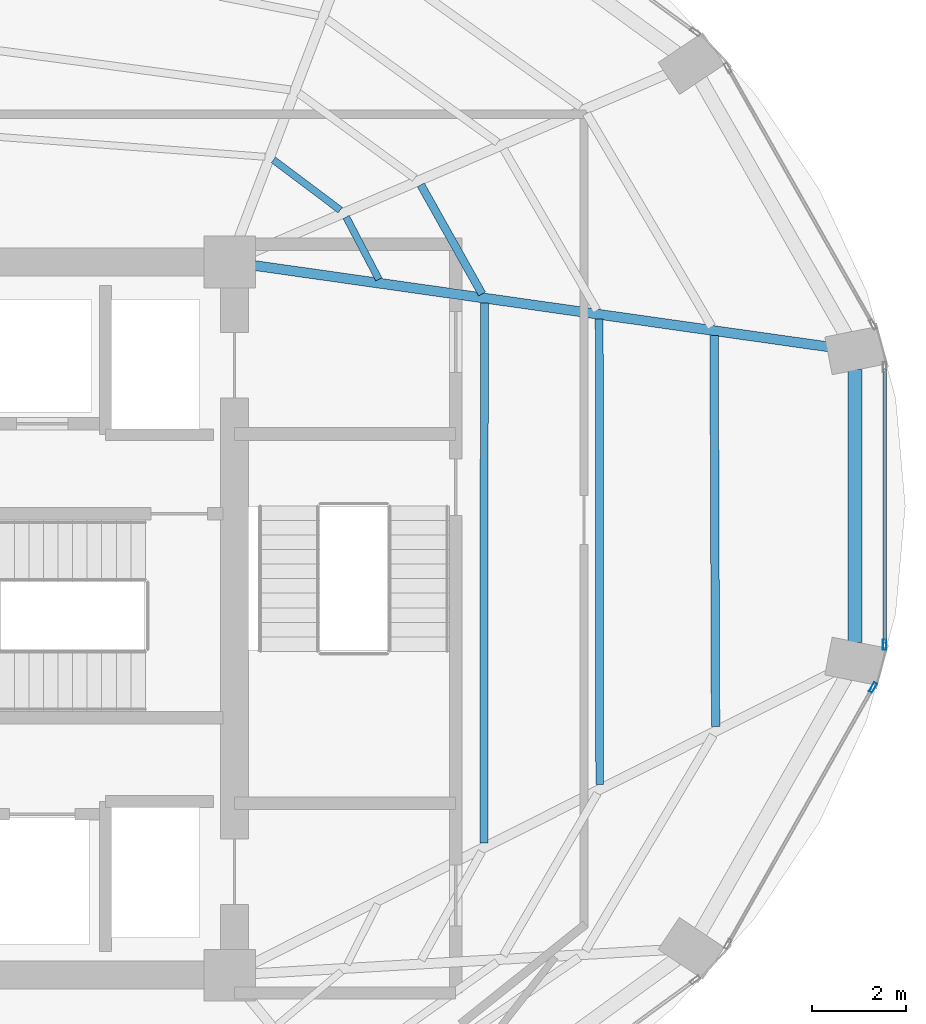
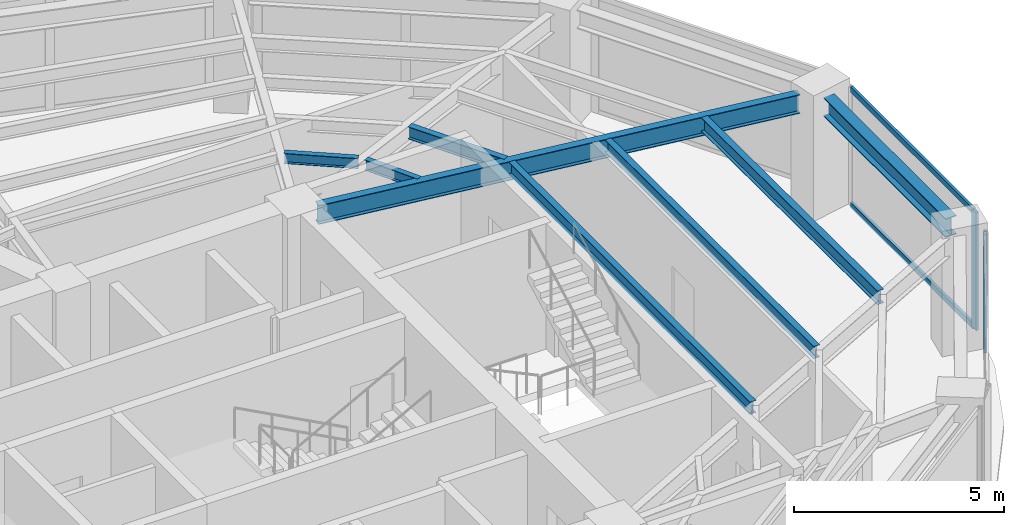
# One storey, part 10 of 20: 8 beams, 4 members, 2 elements without a shape of their own.
"""IFC4 building model written with IfcOpenShell, lengths in metres."""

from ifc_helpers import new_model, si_unit, direction, frame, origin, origin_2d, place, context, subcontext, project, spatial, hollow_rectangle, i_section, extrude, material, layer, layer_set, material_profile, profile_set, type_object, element, aggregate, save


model = new_model("IFC4")

# Units and contexts
model_context = context("Model", 3, precision=1e-05, world=origin(), true_north=direction((0.0, 1.0)))
body_context = subcontext(model_context, "Body", "Model", "MODEL_VIEW")
ifc_project = project(units=[si_unit("LENGTHUNIT", "METRE"), si_unit("AREAUNIT", "SQUARE_METRE"), si_unit("VOLUMEUNIT", "CUBIC_METRE"), si_unit("PLANEANGLEUNIT", "RADIAN"), si_unit("MASSUNIT", "GRAM", prefix="KILO")], contexts=[model_context])

# Site, building, storey
site_placement = place(None, origin())
site = spatial("IfcSite", under=ifc_project, at=site_placement, CompositionType="ELEMENT")
building_placement = place(site_placement, origin())
building = spatial("IfcBuilding", under=site, at=building_placement, Name="Lazwardi Medical Tower", CompositionType="ELEMENT")
storey_placement = place(building_placement, frame((0.0, 0.0, 174.76806640625)))
storey = spatial("IfcBuildingStorey", under=building, at=storey_placement, Name="L45", CompositionType="ELEMENT", Elevation=174.76806640625)

# Beams
ifc_material_1 = material(Name="Steel S355", Category="steel")
ifc_material_profile_1 = material_profile(ifc_material_1, i_section(OverallWidth=0.300048828125, OverallDepth=0.550048828125, WebThickness=0.014892578125, FlangeThickness=0.029052734375, at=origin_2d()), Name="HEB 550")
ifc_profile_set_1 = profile_set([ifc_material_profile_1], Name="Steel S355")
beam_type_1 = type_object("IfcBeamType", Name="BM-RB-Z3", PredefinedType="BEAM", material=ifc_profile_set_1)
beam_1_placement = place(storey_placement, frame((58.92578125, 27.48828125, 3.15283203125), z_axis=(0.0, 1.0, 0.0), x_axis=(-1.0, 0.0, 0.0)))
element("IfcBeam", 1, at=beam_1_placement, inside=storey, type_object=beam_type_1, Name="Ring beam RB-04 B04 L45", PredefinedType="BEAM", context=body_context, shape_type="SweptSolid", body=[
    extrude(i_section(OverallWidth=0.300048828125, OverallDepth=0.550048828125, WebThickness=0.014892578125, FlangeThickness=0.029052734375, at=origin_2d()), origin(), (0.0, 0.0, 1.0), 5.823486328125),
])
ifc_material_profile_2 = material_profile(ifc_material_1, i_section(OverallWidth=0.2099609375, OverallDepth=0.550048828125, WebThickness=0.010986328125, FlangeThickness=0.01708984375, at=origin_2d()), Name="IPE 550")
ifc_profile_set_2 = profile_set([ifc_material_profile_2], Name="Steel S355")
beam_type_2 = type_object("IfcBeamType", Name="BM-RG-W2", PredefinedType="BEAM", material=ifc_profile_set_2)
beam_2_placement = place(storey_placement, frame((58.371337890625, 33.790283203125, 3.15283203125), z_axis=(-0.99010958763, 0.140296131389, 0.0), x_axis=(-0.140296131389, -0.99010958763, 0.0)))
element("IfcBeam", 2, at=beam_2_placement, inside=storey, type_object=beam_type_2, Name="Radial girder RG-03 R05 L45", PredefinedType="BEAM", context=body_context, shape_type="SweptSolid", body=[
    extrude(i_section(OverallWidth=0.2099609375, OverallDepth=0.550048828125, WebThickness=0.010986328125, FlangeThickness=0.01708984375, at=origin_2d()), origin(), (0.0, 0.0, 1.0), 12.364013671875),
])
ifc_material_profile_3 = material_profile(ifc_material_1, i_section(OverallWidth=0.179931640625, OverallDepth=0.39990234375, WebThickness=0.008544921875, FlangeThickness=0.013427734375, at=origin_2d()), Name="IPE 400")
ifc_profile_set_3 = profile_set([ifc_material_profile_3], Name="Steel S355")
beam_type_3 = type_object("IfcBeamType", Name="BM-SJ-01", PredefinedType="JOIST", material=ifc_profile_set_3)
beam_3_placement = place(storey_placement, frame((55.95556640625, 25.69775390625, 3.22802734375), z_axis=(-0.003864366017, 0.99999253331, 0.0), x_axis=(-0.99999253331, -0.003864366017, 0.0)))
element("IfcBeam", 3, at=beam_3_placement, inside=storey, type_object=beam_type_3, Name="Secondary joist SJ-01 R1 B04 L45", PredefinedType="JOIST", context=body_context, shape_type="SweptSolid", body=[
    extrude(i_section(OverallWidth=0.179931640625, OverallDepth=0.39990234375, WebThickness=0.008544921875, FlangeThickness=0.013427734375, at=origin_2d()), origin(), (0.0, 0.0, 1.0), 8.33935546875),
])
ifc_material_profile_4 = material_profile(ifc_material_1, i_section(OverallWidth=0.169921875, OverallDepth=0.360107421875, WebThickness=0.008056640625, FlangeThickness=0.0126953125, at=origin_2d()), Name="IPE 360")
ifc_profile_set_4 = profile_set([ifc_material_profile_4], Name="Steel S355")
beam_type_4 = type_object("IfcBeamType", Name="BM-SJ-02", PredefinedType="JOIST", material=ifc_profile_set_4)
beam_4_placement = place(storey_placement, frame((53.486328125, 24.458251953125, 3.248046875), z_axis=(-0.001156040156, 0.999999331785, 0.0), x_axis=(-0.999999331785, -0.001156040156, 0.0)))
element("IfcBeam", 4, at=beam_4_placement, inside=storey, type_object=beam_type_4, Name="Secondary joist SJ-02 R2 B04 L45", PredefinedType="JOIST", context=body_context, shape_type="SweptSolid", body=[
    extrude(i_section(OverallWidth=0.169921875, OverallDepth=0.360107421875, WebThickness=0.008056640625, FlangeThickness=0.0126953125, at=origin_2d()), origin(), (0.0, 0.0, 1.0), 9.92578125),
])
beam_5_placement = place(storey_placement, frame((51.01708984375, 23.21875, 3.248046875), z_axis=(0.000805852776, 0.999999675301, 0.0), x_axis=(-0.999999675301, 0.000805852776, 0.0)))
element("IfcBeam", 5, at=beam_5_placement, inside=storey, type_object=beam_type_4, Name="Secondary joist SJ-02 R3 B04 L45", PredefinedType="JOIST", context=body_context, shape_type="SweptSolid", body=[
    extrude(i_section(OverallWidth=0.169921875, OverallDepth=0.360107421875, WebThickness=0.008056640625, FlangeThickness=0.0126953125, at=origin_2d()), origin(), (0.0, 0.0, 1.0), 11.512451171875),
])
beam_6_placement = place(storey_placement, frame((50.977294921875, 34.918212890625, 3.248046875), z_axis=(-0.489408945026, 0.872054404569, 0.0), x_axis=(-0.872054404569, -0.489408945026, 0.0)))
element("IfcBeam", 6, at=beam_6_placement, inside=storey, type_object=beam_type_4, Name="Secondary joist SJ-02 R3 B05 L45", PredefinedType="JOIST", context=body_context, shape_type="SweptSolid", body=[
    extrude(i_section(OverallWidth=0.169921875, OverallDepth=0.360107421875, WebThickness=0.008056640625, FlangeThickness=0.0126953125, at=origin_2d()), origin(), (0.0, 0.0, 1.0), 2.666259765625),
])
ifc_material_profile_5 = material_profile(ifc_material_1, i_section(OverallWidth=0.14990234375, OverallDepth=0.300048828125, WebThickness=0.007080078125, FlangeThickness=0.0107421875, at=origin_2d()), Name="IPE 300")
ifc_profile_set_5 = profile_set([ifc_material_profile_5], Name="Steel S355")
beam_type_5 = type_object("IfcBeamType", Name="BM-SJ-03", PredefinedType="JOIST", material=ifc_profile_set_5)
beam_7_placement = place(storey_placement, frame((48.7763671875, 35.231689453125, 3.27783203125), z_axis=(-0.464469748171, 0.885588986513, 0.0), x_axis=(-0.885588986513, -0.464469748171, 0.0)))
element("IfcBeam", 7, at=beam_7_placement, inside=storey, type_object=beam_type_5, Name="Secondary joist SJ-03 R4 B05 L45", PredefinedType="JOIST", context=body_context, shape_type="SweptSolid", body=[
    extrude(i_section(OverallWidth=0.14990234375, OverallDepth=0.300048828125, WebThickness=0.007080078125, FlangeThickness=0.0107421875, at=origin_2d()), origin(), (0.0, 0.0, 1.0), 1.498046875),
])
beam_8_placement = place(storey_placement, frame((47.9541015625, 36.70703125, 3.27783203125), z_axis=(-0.799884834751, 0.600153522972, 0.0), x_axis=(-0.600153522972, -0.799884834751, 0.0)))
element("IfcBeam", 8, at=beam_8_placement, inside=storey, type_object=beam_type_5, Name="Secondary joist SJ-03 R4 B06 L45", PredefinedType="JOIST", context=body_context, shape_type="SweptSolid", body=[
    extrude(i_section(OverallWidth=0.14990234375, OverallDepth=0.300048828125, WebThickness=0.007080078125, FlangeThickness=0.0107421875, at=origin_2d()), origin(), (0.0, 0.0, 1.0), 1.781005859375),
])

# Curtain wall, member
ifc_material_2 = material(Name="Anodised bronze aluminium and solar control glazing", Category="aluminium")
ifc_layer = layer(ifc_material_2, 0.195068359375)
ifc_layer_set = layer_set([ifc_layer], Name="Anodised bronze aluminium and solar control glazing")
curtain_wall_type = type_object("IfcCurtainWallType", Name="CW-SYS-03", PredefinedType="NOTDEFINED", material=ifc_layer_set)
curtain_wall_1_placement = place(storey_placement, origin())
curtain_wall_1 = element("IfcCurtainWall", 9, at=curtain_wall_1_placement, inside=storey, type_object=curtain_wall_type, Name="L45 Unitised bronze curtain wall CW-03", PredefinedType="NOTDEFINED")
ifc_material_3 = material(Name="Anodised bronze aluminium", Category="aluminium")
ifc_material_profile_6 = material_profile(ifc_material_3, hollow_rectangle(XDim=0.074951171875, YDim=0.219970703125, WallThickness=0.00390625, at=origin_2d()), Name="ALU-MULLION 220x75x4")
ifc_profile_set_6 = profile_set([ifc_material_profile_6], Name="Anodised bronze aluminium")
member_type_1 = type_object("IfcMemberType", Name="CW-MUL-01", PredefinedType="MULLION", material=ifc_profile_set_6)
member_1_placement = place(storey_placement, frame((59.31103515625, 26.53271484375, 0.0), z_axis=(0.0, 0.0, 1.0), x_axis=(-0.870418989303, 0.492311672683, 0.0)))
member_1 = element("IfcMember", 10, at=member_1_placement, type_object=member_type_1, Name="CW-03 mullion 2", PredefinedType="MULLION", context=body_context, shape_type="SweptSolid", body=[
    extrude(hollow_rectangle(XDim=0.074951171875, YDim=0.219970703125, WallThickness=0.00390625, at=origin_2d()), origin(), (0.0, 0.0, 1.0), 3.427978515625),
])
aggregate(curtain_wall_1, [member_1])

# Curtain wall, members
curtain_wall_2_placement = place(storey_placement, origin())
curtain_wall_2 = element("IfcCurtainWall", 11, at=curtain_wall_2_placement, inside=storey, type_object=curtain_wall_type, Name="L45 Unitised bronze curtain wall CW-03", PredefinedType="NOTDEFINED")
member_2_placement = place(storey_placement, frame((59.5576171875, 27.442138671875, 0.0), z_axis=(0.0, 0.0, 1.0), x_axis=(-1.0, 0.0, 0.0)))
member_2 = element("IfcMember", 12, at=member_2_placement, type_object=member_type_1, Name="CW-03 mullion 1", PredefinedType="MULLION", context=body_context, shape_type="SweptSolid", body=[
    extrude(hollow_rectangle(XDim=0.074951171875, YDim=0.219970703125, WallThickness=0.00390625, at=origin_2d()), origin(), (0.0, 0.0, 1.0), 3.427978515625),
])
ifc_material_profile_7 = material_profile(ifc_material_3, hollow_rectangle(XDim=0.074951171875, YDim=0.159912109375, WallThickness=0.00390625, at=origin_2d()), Name="ALU-TRANSOM 160x75x4")
ifc_profile_set_7 = profile_set([ifc_material_profile_7], Name="Anodised bronze aluminium")
member_type_2 = type_object("IfcMemberType", Name="CW-TRN-01", PredefinedType="USERDEFINED", material=ifc_profile_set_7)
member_3_placement = place(storey_placement, frame((59.5576171875, 27.4794921875, 0.037353515625), z_axis=(0.0, 1.0, 0.0), x_axis=(-1.0, 0.0, 0.0)))
member_3 = element("IfcMember", 13, at=member_3_placement, type_object=member_type_2, Name="CW-03 transom 1.1", ObjectType="TRANSOM", PredefinedType="USERDEFINED", context=body_context, shape_type="SweptSolid", body=[
    extrude(hollow_rectangle(XDim=0.074951171875, YDim=0.159912109375, WallThickness=0.00390625, at=origin_2d()), origin(), (0.0, 0.0, 1.0), 5.8408203125),
])
member_4_placement = place(storey_placement, frame((59.5576171875, 27.4794921875, 3.390380859375), z_axis=(0.0, 1.0, 0.0), x_axis=(-1.0, 0.0, 0.0)))
member_4 = element("IfcMember", 14, at=member_4_placement, type_object=member_type_2, Name="CW-03 transom 1.2", ObjectType="TRANSOM", PredefinedType="USERDEFINED", context=body_context, shape_type="SweptSolid", body=[
    extrude(hollow_rectangle(XDim=0.074951171875, YDim=0.159912109375, WallThickness=0.00390625, at=origin_2d()), origin(), (0.0, 0.0, 1.0), 5.8408203125),
])
aggregate(curtain_wall_2, [member_2, member_3, member_4])

save(model, "model.ifc")
